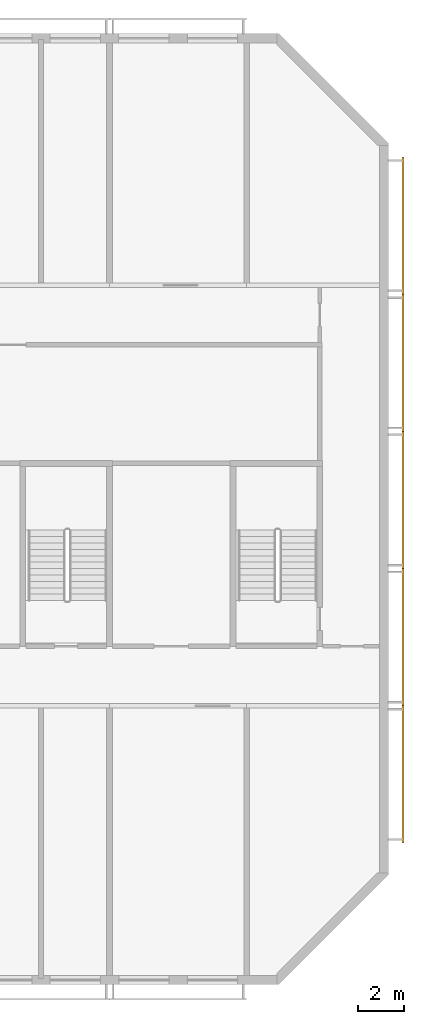
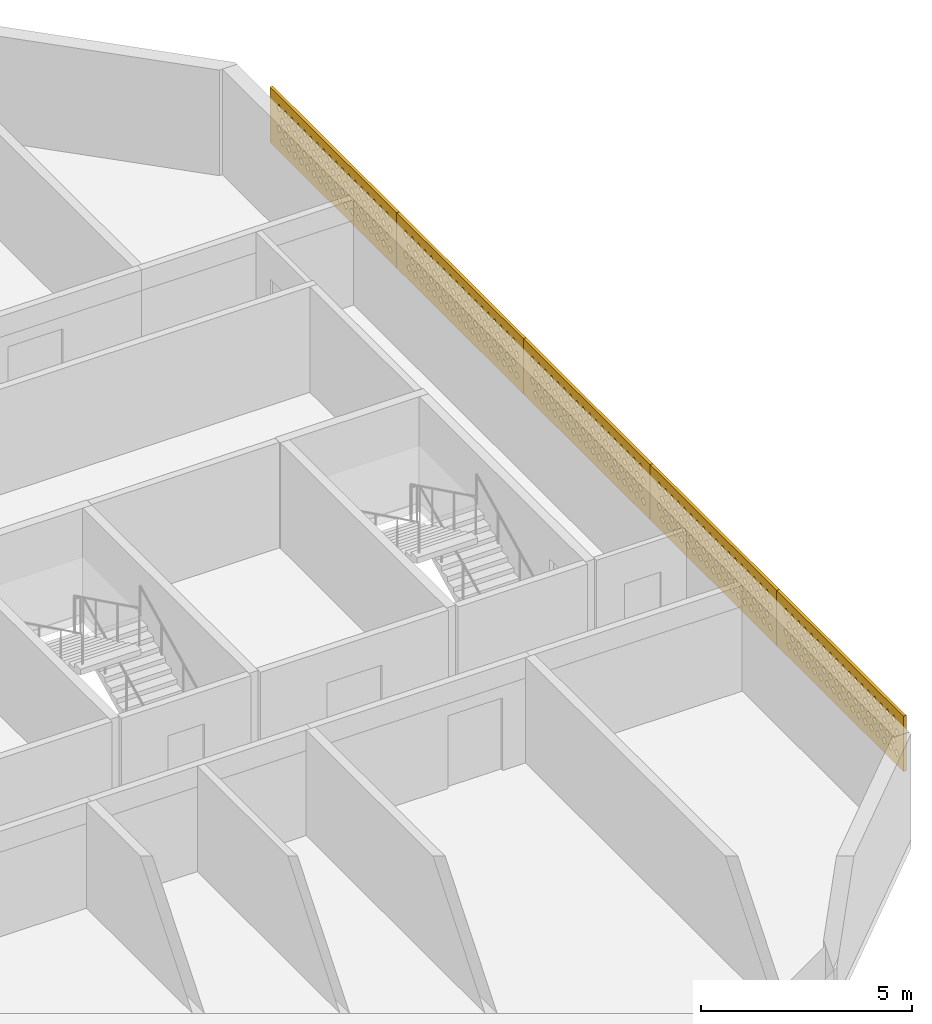
# One storey, part 18 of 18: 5 coverings.
"""IFC4 building model written with IfcOpenShell, lengths in metres."""

from ifc_helpers import new_model, si_unit, direction, frame, origin, place, context, subcontext, project, spatial, polyline, outline, extrude, source, transform, mapped, material, material_profile, profile_set, type_object, element, save


model = new_model("IFC4")

# Units and contexts
model_context = context("Model", 3, precision=1e-05, world=origin(), true_north=direction((0.0, 1.0)))
body_context = subcontext(model_context, "Body", "Model", "MODEL_VIEW")
ifc_project = project(units=[si_unit("LENGTHUNIT", "METRE"), si_unit("AREAUNIT", "SQUARE_METRE"), si_unit("VOLUMEUNIT", "CUBIC_METRE"), si_unit("PLANEANGLEUNIT", "RADIAN"), si_unit("MASSUNIT", "GRAM", prefix="KILO")], contexts=[model_context])

# Site, building, storey
site_placement = place(None, origin())
site = spatial("IfcSite", under=ifc_project, at=site_placement, CompositionType="ELEMENT")
building_placement = place(site_placement, origin())
building = spatial("IfcBuilding", under=site, at=building_placement, Name="Poui Terraces", CompositionType="ELEMENT")
storey_placement = place(building_placement, frame((0.0, 0.0, 279.0)))
storey = spatial("IfcBuildingStorey", under=building, at=storey_placement, Name="L77 CROWN", CompositionType="ELEMENT", Elevation=279.0)

# Coverings
ifc_material = material(Name="Terracotta screen", Category="masonry")
ifc_material_profile = material_profile(ifc_material, outline(polyline([(-3.0, -0.800048828125), (3.0, -0.800048828125), (3.0, 0.800048828125), (-3.0, 0.800048828125), (-3.0, -0.800048828125)]), holes=[polyline([(-2.800048828125, -0.449951171875), (-2.68994140625, -0.56005859375), (-2.580078125, -0.449951171875), (-2.68994140625, -0.340087890625), (-2.800048828125, -0.449951171875)]), polyline([(-2.5, -0.449951171875), (-2.389892578125, -0.56005859375), (-2.280029296875, -0.449951171875), (-2.389892578125, -0.340087890625), (-2.5, -0.449951171875)]), polyline([(-2.199951171875, -0.449951171875), (-2.090087890625, -0.56005859375), (-1.97998046875, -0.449951171875), (-2.090087890625, -0.340087890625), (-2.199951171875, -0.449951171875)]), polyline([(-1.89990234375, -0.449951171875), (-1.7900390625, -0.56005859375), (-1.679931640625, -0.449951171875), (-1.7900390625, -0.340087890625), (-1.89990234375, -0.449951171875)]), polyline([(-1.60009765625, -0.449951171875), (-1.489990234375, -0.56005859375), (-1.3798828125, -0.449951171875), (-1.489990234375, -0.340087890625), (-1.60009765625, -0.449951171875)]), polyline([(-1.300048828125, -0.449951171875), (-1.18994140625, -0.56005859375), (-1.080078125, -0.449951171875), (-1.18994140625, -0.340087890625), (-1.300048828125, -0.449951171875)]), polyline([(-1.0, -0.449951171875), (-0.889892578125, -0.56005859375), (-0.780029296875, -0.449951171875), (-0.889892578125, -0.340087890625), (-1.0, -0.449951171875)]), polyline([(-0.699951171875, -0.449951171875), (-0.590087890625, -0.56005859375), (-0.47998046875, -0.449951171875), (-0.590087890625, -0.340087890625), (-0.699951171875, -0.449951171875)]), polyline([(-0.39990234375, -0.449951171875), (-0.2900390625, -0.56005859375), (-0.179931640625, -0.449951171875), (-0.2900390625, -0.340087890625), (-0.39990234375, -0.449951171875)]), polyline([(-0.10009765625, -0.449951171875), (0.010009765625, -0.56005859375), (0.1201171875, -0.449951171875), (0.010009765625, -0.340087890625), (-0.10009765625, -0.449951171875)]), polyline([(0.199951171875, -0.449951171875), (0.31005859375, -0.56005859375), (0.419921875, -0.449951171875), (0.31005859375, -0.340087890625), (0.199951171875, -0.449951171875)]), polyline([(0.5, -0.449951171875), (0.610107421875, -0.56005859375), (0.719970703125, -0.449951171875), (0.610107421875, -0.340087890625), (0.5, -0.449951171875)]), polyline([(0.800048828125, -0.449951171875), (0.909912109375, -0.56005859375), (1.02001953125, -0.449951171875), (0.909912109375, -0.340087890625), (0.800048828125, -0.449951171875)]), polyline([(1.10009765625, -0.449951171875), (1.2099609375, -0.56005859375), (1.320068359375, -0.449951171875), (1.2099609375, -0.340087890625), (1.10009765625, -0.449951171875)]), polyline([(1.39990234375, -0.449951171875), (1.510009765625, -0.56005859375), (1.6201171875, -0.449951171875), (1.510009765625, -0.340087890625), (1.39990234375, -0.449951171875)]), polyline([(1.699951171875, -0.449951171875), (1.81005859375, -0.56005859375), (1.919921875, -0.449951171875), (1.81005859375, -0.340087890625), (1.699951171875, -0.449951171875)]), polyline([(2.0, -0.449951171875), (2.110107421875, -0.56005859375), (2.219970703125, -0.449951171875), (2.110107421875, -0.340087890625), (2.0, -0.449951171875)]), polyline([(2.300048828125, -0.449951171875), (2.409912109375, -0.56005859375), (2.52001953125, -0.449951171875), (2.409912109375, -0.340087890625), (2.300048828125, -0.449951171875)]), polyline([(-2.64990234375, -0.14990234375), (-2.5400390625, -0.260009765625), (-2.429931640625, -0.14990234375), (-2.5400390625, -0.0400390625), (-2.64990234375, -0.14990234375)]), polyline([(-2.35009765625, -0.14990234375), (-2.239990234375, -0.260009765625), (-2.1298828125, -0.14990234375), (-2.239990234375, -0.0400390625), (-2.35009765625, -0.14990234375)]), polyline([(-2.050048828125, -0.14990234375), (-1.93994140625, -0.260009765625), (-1.830078125, -0.14990234375), (-1.93994140625, -0.0400390625), (-2.050048828125, -0.14990234375)]), polyline([(-1.75, -0.14990234375), (-1.639892578125, -0.260009765625), (-1.530029296875, -0.14990234375), (-1.639892578125, -0.0400390625), (-1.75, -0.14990234375)]), polyline([(-1.449951171875, -0.14990234375), (-1.340087890625, -0.260009765625), (-1.22998046875, -0.14990234375), (-1.340087890625, -0.0400390625), (-1.449951171875, -0.14990234375)]), polyline([(-1.14990234375, -0.14990234375), (-1.0400390625, -0.260009765625), (-0.929931640625, -0.14990234375), (-1.0400390625, -0.0400390625), (-1.14990234375, -0.14990234375)]), polyline([(-0.85009765625, -0.14990234375), (-0.739990234375, -0.260009765625), (-0.6298828125, -0.14990234375), (-0.739990234375, -0.0400390625), (-0.85009765625, -0.14990234375)]), polyline([(-0.550048828125, -0.14990234375), (-0.43994140625, -0.260009765625), (-0.330078125, -0.14990234375), (-0.43994140625, -0.0400390625), (-0.550048828125, -0.14990234375)]), polyline([(-0.25, -0.14990234375), (-0.139892578125, -0.260009765625), (-0.030029296875, -0.14990234375), (-0.139892578125, -0.0400390625), (-0.25, -0.14990234375)]), polyline([(0.050048828125, -0.14990234375), (0.159912109375, -0.260009765625), (0.27001953125, -0.14990234375), (0.159912109375, -0.0400390625), (0.050048828125, -0.14990234375)]), polyline([(0.35009765625, -0.14990234375), (0.4599609375, -0.260009765625), (0.570068359375, -0.14990234375), (0.4599609375, -0.0400390625), (0.35009765625, -0.14990234375)]), polyline([(0.64990234375, -0.14990234375), (0.760009765625, -0.260009765625), (0.8701171875, -0.14990234375), (0.760009765625, -0.0400390625), (0.64990234375, -0.14990234375)]), polyline([(0.949951171875, -0.14990234375), (1.06005859375, -0.260009765625), (1.169921875, -0.14990234375), (1.06005859375, -0.0400390625), (0.949951171875, -0.14990234375)]), polyline([(1.25, -0.14990234375), (1.360107421875, -0.260009765625), (1.469970703125, -0.14990234375), (1.360107421875, -0.0400390625), (1.25, -0.14990234375)]), polyline([(1.550048828125, -0.14990234375), (1.659912109375, -0.260009765625), (1.77001953125, -0.14990234375), (1.659912109375, -0.0400390625), (1.550048828125, -0.14990234375)]), polyline([(1.85009765625, -0.14990234375), (1.9599609375, -0.260009765625), (2.070068359375, -0.14990234375), (1.9599609375, -0.0400390625), (1.85009765625, -0.14990234375)]), polyline([(2.14990234375, -0.14990234375), (2.260009765625, -0.260009765625), (2.3701171875, -0.14990234375), (2.260009765625, -0.0400390625), (2.14990234375, -0.14990234375)]), polyline([(2.449951171875, -0.14990234375), (2.56005859375, -0.260009765625), (2.669921875, -0.14990234375), (2.56005859375, -0.0400390625), (2.449951171875, -0.14990234375)]), polyline([(-2.800048828125, 0.14990234375), (-2.68994140625, 0.0400390625), (-2.580078125, 0.14990234375), (-2.68994140625, 0.260009765625), (-2.800048828125, 0.14990234375)]), polyline([(-2.5, 0.14990234375), (-2.389892578125, 0.0400390625), (-2.280029296875, 0.14990234375), (-2.389892578125, 0.260009765625), (-2.5, 0.14990234375)]), polyline([(-2.199951171875, 0.14990234375), (-2.090087890625, 0.0400390625), (-1.97998046875, 0.14990234375), (-2.090087890625, 0.260009765625), (-2.199951171875, 0.14990234375)]), polyline([(-1.89990234375, 0.14990234375), (-1.7900390625, 0.0400390625), (-1.679931640625, 0.14990234375), (-1.7900390625, 0.260009765625), (-1.89990234375, 0.14990234375)]), polyline([(-1.60009765625, 0.14990234375), (-1.489990234375, 0.0400390625), (-1.3798828125, 0.14990234375), (-1.489990234375, 0.260009765625), (-1.60009765625, 0.14990234375)]), polyline([(-1.300048828125, 0.14990234375), (-1.18994140625, 0.0400390625), (-1.080078125, 0.14990234375), (-1.18994140625, 0.260009765625), (-1.300048828125, 0.14990234375)]), polyline([(-1.0, 0.14990234375), (-0.889892578125, 0.0400390625), (-0.780029296875, 0.14990234375), (-0.889892578125, 0.260009765625), (-1.0, 0.14990234375)]), polyline([(-0.699951171875, 0.14990234375), (-0.590087890625, 0.0400390625), (-0.47998046875, 0.14990234375), (-0.590087890625, 0.260009765625), (-0.699951171875, 0.14990234375)]), polyline([(-0.39990234375, 0.14990234375), (-0.2900390625, 0.0400390625), (-0.179931640625, 0.14990234375), (-0.2900390625, 0.260009765625), (-0.39990234375, 0.14990234375)]), polyline([(-0.10009765625, 0.14990234375), (0.010009765625, 0.0400390625), (0.1201171875, 0.14990234375), (0.010009765625, 0.260009765625), (-0.10009765625, 0.14990234375)]), polyline([(0.199951171875, 0.14990234375), (0.31005859375, 0.0400390625), (0.419921875, 0.14990234375), (0.31005859375, 0.260009765625), (0.199951171875, 0.14990234375)]), polyline([(0.5, 0.14990234375), (0.610107421875, 0.0400390625), (0.719970703125, 0.14990234375), (0.610107421875, 0.260009765625), (0.5, 0.14990234375)]), polyline([(0.800048828125, 0.14990234375), (0.909912109375, 0.0400390625), (1.02001953125, 0.14990234375), (0.909912109375, 0.260009765625), (0.800048828125, 0.14990234375)]), polyline([(1.10009765625, 0.14990234375), (1.2099609375, 0.0400390625), (1.320068359375, 0.14990234375), (1.2099609375, 0.260009765625), (1.10009765625, 0.14990234375)]), polyline([(1.39990234375, 0.14990234375), (1.510009765625, 0.0400390625), (1.6201171875, 0.14990234375), (1.510009765625, 0.260009765625), (1.39990234375, 0.14990234375)]), polyline([(1.699951171875, 0.14990234375), (1.81005859375, 0.0400390625), (1.919921875, 0.14990234375), (1.81005859375, 0.260009765625), (1.699951171875, 0.14990234375)]), polyline([(2.0, 0.14990234375), (2.110107421875, 0.0400390625), (2.219970703125, 0.14990234375), (2.110107421875, 0.260009765625), (2.0, 0.14990234375)]), polyline([(2.300048828125, 0.14990234375), (2.409912109375, 0.0400390625), (2.52001953125, 0.14990234375), (2.409912109375, 0.260009765625), (2.300048828125, 0.14990234375)]), polyline([(-2.64990234375, 0.449951171875), (-2.5400390625, 0.340087890625), (-2.429931640625, 0.449951171875), (-2.5400390625, 0.56005859375), (-2.64990234375, 0.449951171875)]), polyline([(-2.35009765625, 0.449951171875), (-2.239990234375, 0.340087890625), (-2.1298828125, 0.449951171875), (-2.239990234375, 0.56005859375), (-2.35009765625, 0.449951171875)]), polyline([(-2.050048828125, 0.449951171875), (-1.93994140625, 0.340087890625), (-1.830078125, 0.449951171875), (-1.93994140625, 0.56005859375), (-2.050048828125, 0.449951171875)]), polyline([(-1.75, 0.449951171875), (-1.639892578125, 0.340087890625), (-1.530029296875, 0.449951171875), (-1.639892578125, 0.56005859375), (-1.75, 0.449951171875)]), polyline([(-1.449951171875, 0.449951171875), (-1.340087890625, 0.340087890625), (-1.22998046875, 0.449951171875), (-1.340087890625, 0.56005859375), (-1.449951171875, 0.449951171875)]), polyline([(-1.14990234375, 0.449951171875), (-1.0400390625, 0.340087890625), (-0.929931640625, 0.449951171875), (-1.0400390625, 0.56005859375), (-1.14990234375, 0.449951171875)]), polyline([(-0.85009765625, 0.449951171875), (-0.739990234375, 0.340087890625), (-0.6298828125, 0.449951171875), (-0.739990234375, 0.56005859375), (-0.85009765625, 0.449951171875)]), polyline([(-0.550048828125, 0.449951171875), (-0.43994140625, 0.340087890625), (-0.330078125, 0.449951171875), (-0.43994140625, 0.56005859375), (-0.550048828125, 0.449951171875)]), polyline([(-0.25, 0.449951171875), (-0.139892578125, 0.340087890625), (-0.030029296875, 0.449951171875), (-0.139892578125, 0.56005859375), (-0.25, 0.449951171875)]), polyline([(0.050048828125, 0.449951171875), (0.159912109375, 0.340087890625), (0.27001953125, 0.449951171875), (0.159912109375, 0.56005859375), (0.050048828125, 0.449951171875)]), polyline([(0.35009765625, 0.449951171875), (0.4599609375, 0.340087890625), (0.570068359375, 0.449951171875), (0.4599609375, 0.56005859375), (0.35009765625, 0.449951171875)]), polyline([(0.64990234375, 0.449951171875), (0.760009765625, 0.340087890625), (0.8701171875, 0.449951171875), (0.760009765625, 0.56005859375), (0.64990234375, 0.449951171875)]), polyline([(0.949951171875, 0.449951171875), (1.06005859375, 0.340087890625), (1.169921875, 0.449951171875), (1.06005859375, 0.56005859375), (0.949951171875, 0.449951171875)]), polyline([(1.25, 0.449951171875), (1.360107421875, 0.340087890625), (1.469970703125, 0.449951171875), (1.360107421875, 0.56005859375), (1.25, 0.449951171875)]), polyline([(1.550048828125, 0.449951171875), (1.659912109375, 0.340087890625), (1.77001953125, 0.449951171875), (1.659912109375, 0.56005859375), (1.550048828125, 0.449951171875)]), polyline([(1.85009765625, 0.449951171875), (1.9599609375, 0.340087890625), (2.070068359375, 0.449951171875), (1.9599609375, 0.56005859375), (1.85009765625, 0.449951171875)]), polyline([(2.14990234375, 0.449951171875), (2.260009765625, 0.340087890625), (2.3701171875, 0.449951171875), (2.260009765625, 0.56005859375), (2.14990234375, 0.449951171875)]), polyline([(2.449951171875, 0.449951171875), (2.56005859375, 0.340087890625), (2.669921875, 0.449951171875), (2.56005859375, 0.56005859375), (2.449951171875, 0.449951171875)])]), Name="TERRACOTTA SOLAR SCREEN 6000X1600")
ifc_profile_set = profile_set([ifc_material_profile], Name="Terracotta screen")
covering_type = type_object("IfcCoveringType", Name="TERRACOTTA SOLAR SCREEN 6000X1600", PredefinedType="CLADDING", material=ifc_profile_set)
shared_shape = source(origin(), body_context, "Body", "SweptSolid", [
    extrude(outline(polyline([(-3.0, -0.800048828125), (3.0, -0.800048828125), (3.0, 0.800048828125), (-3.0, 0.800048828125), (-3.0, -0.800048828125)]), holes=[polyline([(-2.800048828125, -0.449951171875), (-2.68994140625, -0.56005859375), (-2.580078125, -0.449951171875), (-2.68994140625, -0.340087890625), (-2.800048828125, -0.449951171875)]), polyline([(-2.5, -0.449951171875), (-2.389892578125, -0.56005859375), (-2.280029296875, -0.449951171875), (-2.389892578125, -0.340087890625), (-2.5, -0.449951171875)]), polyline([(-2.199951171875, -0.449951171875), (-2.090087890625, -0.56005859375), (-1.97998046875, -0.449951171875), (-2.090087890625, -0.340087890625), (-2.199951171875, -0.449951171875)]), polyline([(-1.89990234375, -0.449951171875), (-1.7900390625, -0.56005859375), (-1.679931640625, -0.449951171875), (-1.7900390625, -0.340087890625), (-1.89990234375, -0.449951171875)]), polyline([(-1.60009765625, -0.449951171875), (-1.489990234375, -0.56005859375), (-1.3798828125, -0.449951171875), (-1.489990234375, -0.340087890625), (-1.60009765625, -0.449951171875)]), polyline([(-1.300048828125, -0.449951171875), (-1.18994140625, -0.56005859375), (-1.080078125, -0.449951171875), (-1.18994140625, -0.340087890625), (-1.300048828125, -0.449951171875)]), polyline([(-1.0, -0.449951171875), (-0.889892578125, -0.56005859375), (-0.780029296875, -0.449951171875), (-0.889892578125, -0.340087890625), (-1.0, -0.449951171875)]), polyline([(-0.699951171875, -0.449951171875), (-0.590087890625, -0.56005859375), (-0.47998046875, -0.449951171875), (-0.590087890625, -0.340087890625), (-0.699951171875, -0.449951171875)]), polyline([(-0.39990234375, -0.449951171875), (-0.2900390625, -0.56005859375), (-0.179931640625, -0.449951171875), (-0.2900390625, -0.340087890625), (-0.39990234375, -0.449951171875)]), polyline([(-0.10009765625, -0.449951171875), (0.010009765625, -0.56005859375), (0.1201171875, -0.449951171875), (0.010009765625, -0.340087890625), (-0.10009765625, -0.449951171875)]), polyline([(0.199951171875, -0.449951171875), (0.31005859375, -0.56005859375), (0.419921875, -0.449951171875), (0.31005859375, -0.340087890625), (0.199951171875, -0.449951171875)]), polyline([(0.5, -0.449951171875), (0.610107421875, -0.56005859375), (0.719970703125, -0.449951171875), (0.610107421875, -0.340087890625), (0.5, -0.449951171875)]), polyline([(0.800048828125, -0.449951171875), (0.909912109375, -0.56005859375), (1.02001953125, -0.449951171875), (0.909912109375, -0.340087890625), (0.800048828125, -0.449951171875)]), polyline([(1.10009765625, -0.449951171875), (1.2099609375, -0.56005859375), (1.320068359375, -0.449951171875), (1.2099609375, -0.340087890625), (1.10009765625, -0.449951171875)]), polyline([(1.39990234375, -0.449951171875), (1.510009765625, -0.56005859375), (1.6201171875, -0.449951171875), (1.510009765625, -0.340087890625), (1.39990234375, -0.449951171875)]), polyline([(1.699951171875, -0.449951171875), (1.81005859375, -0.56005859375), (1.919921875, -0.449951171875), (1.81005859375, -0.340087890625), (1.699951171875, -0.449951171875)]), polyline([(2.0, -0.449951171875), (2.110107421875, -0.56005859375), (2.219970703125, -0.449951171875), (2.110107421875, -0.340087890625), (2.0, -0.449951171875)]), polyline([(2.300048828125, -0.449951171875), (2.409912109375, -0.56005859375), (2.52001953125, -0.449951171875), (2.409912109375, -0.340087890625), (2.300048828125, -0.449951171875)]), polyline([(-2.64990234375, -0.14990234375), (-2.5400390625, -0.260009765625), (-2.429931640625, -0.14990234375), (-2.5400390625, -0.0400390625), (-2.64990234375, -0.14990234375)]), polyline([(-2.35009765625, -0.14990234375), (-2.239990234375, -0.260009765625), (-2.1298828125, -0.14990234375), (-2.239990234375, -0.0400390625), (-2.35009765625, -0.14990234375)]), polyline([(-2.050048828125, -0.14990234375), (-1.93994140625, -0.260009765625), (-1.830078125, -0.14990234375), (-1.93994140625, -0.0400390625), (-2.050048828125, -0.14990234375)]), polyline([(-1.75, -0.14990234375), (-1.639892578125, -0.260009765625), (-1.530029296875, -0.14990234375), (-1.639892578125, -0.0400390625), (-1.75, -0.14990234375)]), polyline([(-1.449951171875, -0.14990234375), (-1.340087890625, -0.260009765625), (-1.22998046875, -0.14990234375), (-1.340087890625, -0.0400390625), (-1.449951171875, -0.14990234375)]), polyline([(-1.14990234375, -0.14990234375), (-1.0400390625, -0.260009765625), (-0.929931640625, -0.14990234375), (-1.0400390625, -0.0400390625), (-1.14990234375, -0.14990234375)]), polyline([(-0.85009765625, -0.14990234375), (-0.739990234375, -0.260009765625), (-0.6298828125, -0.14990234375), (-0.739990234375, -0.0400390625), (-0.85009765625, -0.14990234375)]), polyline([(-0.550048828125, -0.14990234375), (-0.43994140625, -0.260009765625), (-0.330078125, -0.14990234375), (-0.43994140625, -0.0400390625), (-0.550048828125, -0.14990234375)]), polyline([(-0.25, -0.14990234375), (-0.139892578125, -0.260009765625), (-0.030029296875, -0.14990234375), (-0.139892578125, -0.0400390625), (-0.25, -0.14990234375)]), polyline([(0.050048828125, -0.14990234375), (0.159912109375, -0.260009765625), (0.27001953125, -0.14990234375), (0.159912109375, -0.0400390625), (0.050048828125, -0.14990234375)]), polyline([(0.35009765625, -0.14990234375), (0.4599609375, -0.260009765625), (0.570068359375, -0.14990234375), (0.4599609375, -0.0400390625), (0.35009765625, -0.14990234375)]), polyline([(0.64990234375, -0.14990234375), (0.760009765625, -0.260009765625), (0.8701171875, -0.14990234375), (0.760009765625, -0.0400390625), (0.64990234375, -0.14990234375)]), polyline([(0.949951171875, -0.14990234375), (1.06005859375, -0.260009765625), (1.169921875, -0.14990234375), (1.06005859375, -0.0400390625), (0.949951171875, -0.14990234375)]), polyline([(1.25, -0.14990234375), (1.360107421875, -0.260009765625), (1.469970703125, -0.14990234375), (1.360107421875, -0.0400390625), (1.25, -0.14990234375)]), polyline([(1.550048828125, -0.14990234375), (1.659912109375, -0.260009765625), (1.77001953125, -0.14990234375), (1.659912109375, -0.0400390625), (1.550048828125, -0.14990234375)]), polyline([(1.85009765625, -0.14990234375), (1.9599609375, -0.260009765625), (2.070068359375, -0.14990234375), (1.9599609375, -0.0400390625), (1.85009765625, -0.14990234375)]), polyline([(2.14990234375, -0.14990234375), (2.260009765625, -0.260009765625), (2.3701171875, -0.14990234375), (2.260009765625, -0.0400390625), (2.14990234375, -0.14990234375)]), polyline([(2.449951171875, -0.14990234375), (2.56005859375, -0.260009765625), (2.669921875, -0.14990234375), (2.56005859375, -0.0400390625), (2.449951171875, -0.14990234375)]), polyline([(-2.800048828125, 0.14990234375), (-2.68994140625, 0.0400390625), (-2.580078125, 0.14990234375), (-2.68994140625, 0.260009765625), (-2.800048828125, 0.14990234375)]), polyline([(-2.5, 0.14990234375), (-2.389892578125, 0.0400390625), (-2.280029296875, 0.14990234375), (-2.389892578125, 0.260009765625), (-2.5, 0.14990234375)]), polyline([(-2.199951171875, 0.14990234375), (-2.090087890625, 0.0400390625), (-1.97998046875, 0.14990234375), (-2.090087890625, 0.260009765625), (-2.199951171875, 0.14990234375)]), polyline([(-1.89990234375, 0.14990234375), (-1.7900390625, 0.0400390625), (-1.679931640625, 0.14990234375), (-1.7900390625, 0.260009765625), (-1.89990234375, 0.14990234375)]), polyline([(-1.60009765625, 0.14990234375), (-1.489990234375, 0.0400390625), (-1.3798828125, 0.14990234375), (-1.489990234375, 0.260009765625), (-1.60009765625, 0.14990234375)]), polyline([(-1.300048828125, 0.14990234375), (-1.18994140625, 0.0400390625), (-1.080078125, 0.14990234375), (-1.18994140625, 0.260009765625), (-1.300048828125, 0.14990234375)]), polyline([(-1.0, 0.14990234375), (-0.889892578125, 0.0400390625), (-0.780029296875, 0.14990234375), (-0.889892578125, 0.260009765625), (-1.0, 0.14990234375)]), polyline([(-0.699951171875, 0.14990234375), (-0.590087890625, 0.0400390625), (-0.47998046875, 0.14990234375), (-0.590087890625, 0.260009765625), (-0.699951171875, 0.14990234375)]), polyline([(-0.39990234375, 0.14990234375), (-0.2900390625, 0.0400390625), (-0.179931640625, 0.14990234375), (-0.2900390625, 0.260009765625), (-0.39990234375, 0.14990234375)]), polyline([(-0.10009765625, 0.14990234375), (0.010009765625, 0.0400390625), (0.1201171875, 0.14990234375), (0.010009765625, 0.260009765625), (-0.10009765625, 0.14990234375)]), polyline([(0.199951171875, 0.14990234375), (0.31005859375, 0.0400390625), (0.419921875, 0.14990234375), (0.31005859375, 0.260009765625), (0.199951171875, 0.14990234375)]), polyline([(0.5, 0.14990234375), (0.610107421875, 0.0400390625), (0.719970703125, 0.14990234375), (0.610107421875, 0.260009765625), (0.5, 0.14990234375)]), polyline([(0.800048828125, 0.14990234375), (0.909912109375, 0.0400390625), (1.02001953125, 0.14990234375), (0.909912109375, 0.260009765625), (0.800048828125, 0.14990234375)]), polyline([(1.10009765625, 0.14990234375), (1.2099609375, 0.0400390625), (1.320068359375, 0.14990234375), (1.2099609375, 0.260009765625), (1.10009765625, 0.14990234375)]), polyline([(1.39990234375, 0.14990234375), (1.510009765625, 0.0400390625), (1.6201171875, 0.14990234375), (1.510009765625, 0.260009765625), (1.39990234375, 0.14990234375)]), polyline([(1.699951171875, 0.14990234375), (1.81005859375, 0.0400390625), (1.919921875, 0.14990234375), (1.81005859375, 0.260009765625), (1.699951171875, 0.14990234375)]), polyline([(2.0, 0.14990234375), (2.110107421875, 0.0400390625), (2.219970703125, 0.14990234375), (2.110107421875, 0.260009765625), (2.0, 0.14990234375)]), polyline([(2.300048828125, 0.14990234375), (2.409912109375, 0.0400390625), (2.52001953125, 0.14990234375), (2.409912109375, 0.260009765625), (2.300048828125, 0.14990234375)]), polyline([(-2.64990234375, 0.449951171875), (-2.5400390625, 0.340087890625), (-2.429931640625, 0.449951171875), (-2.5400390625, 0.56005859375), (-2.64990234375, 0.449951171875)]), polyline([(-2.35009765625, 0.449951171875), (-2.239990234375, 0.340087890625), (-2.1298828125, 0.449951171875), (-2.239990234375, 0.56005859375), (-2.35009765625, 0.449951171875)]), polyline([(-2.050048828125, 0.449951171875), (-1.93994140625, 0.340087890625), (-1.830078125, 0.449951171875), (-1.93994140625, 0.56005859375), (-2.050048828125, 0.449951171875)]), polyline([(-1.75, 0.449951171875), (-1.639892578125, 0.340087890625), (-1.530029296875, 0.449951171875), (-1.639892578125, 0.56005859375), (-1.75, 0.449951171875)]), polyline([(-1.449951171875, 0.449951171875), (-1.340087890625, 0.340087890625), (-1.22998046875, 0.449951171875), (-1.340087890625, 0.56005859375), (-1.449951171875, 0.449951171875)]), polyline([(-1.14990234375, 0.449951171875), (-1.0400390625, 0.340087890625), (-0.929931640625, 0.449951171875), (-1.0400390625, 0.56005859375), (-1.14990234375, 0.449951171875)]), polyline([(-0.85009765625, 0.449951171875), (-0.739990234375, 0.340087890625), (-0.6298828125, 0.449951171875), (-0.739990234375, 0.56005859375), (-0.85009765625, 0.449951171875)]), polyline([(-0.550048828125, 0.449951171875), (-0.43994140625, 0.340087890625), (-0.330078125, 0.449951171875), (-0.43994140625, 0.56005859375), (-0.550048828125, 0.449951171875)]), polyline([(-0.25, 0.449951171875), (-0.139892578125, 0.340087890625), (-0.030029296875, 0.449951171875), (-0.139892578125, 0.56005859375), (-0.25, 0.449951171875)]), polyline([(0.050048828125, 0.449951171875), (0.159912109375, 0.340087890625), (0.27001953125, 0.449951171875), (0.159912109375, 0.56005859375), (0.050048828125, 0.449951171875)]), polyline([(0.35009765625, 0.449951171875), (0.4599609375, 0.340087890625), (0.570068359375, 0.449951171875), (0.4599609375, 0.56005859375), (0.35009765625, 0.449951171875)]), polyline([(0.64990234375, 0.449951171875), (0.760009765625, 0.340087890625), (0.8701171875, 0.449951171875), (0.760009765625, 0.56005859375), (0.64990234375, 0.449951171875)]), polyline([(0.949951171875, 0.449951171875), (1.06005859375, 0.340087890625), (1.169921875, 0.449951171875), (1.06005859375, 0.56005859375), (0.949951171875, 0.449951171875)]), polyline([(1.25, 0.449951171875), (1.360107421875, 0.340087890625), (1.469970703125, 0.449951171875), (1.360107421875, 0.56005859375), (1.25, 0.449951171875)]), polyline([(1.550048828125, 0.449951171875), (1.659912109375, 0.340087890625), (1.77001953125, 0.449951171875), (1.659912109375, 0.56005859375), (1.550048828125, 0.449951171875)]), polyline([(1.85009765625, 0.449951171875), (1.9599609375, 0.340087890625), (2.070068359375, 0.449951171875), (1.9599609375, 0.56005859375), (1.85009765625, 0.449951171875)]), polyline([(2.14990234375, 0.449951171875), (2.260009765625, 0.340087890625), (2.3701171875, 0.449951171875), (2.260009765625, 0.56005859375), (2.14990234375, 0.449951171875)]), polyline([(2.449951171875, 0.449951171875), (2.56005859375, 0.340087890625), (2.669921875, 0.449951171875), (2.56005859375, 0.56005859375), (2.449951171875, 0.449951171875)])]), origin(), (0.0, 0.0, 1.0), 0.079833984375),
])
for number, where, z_axis, x_axis, name in (
    (1, (84.800048828125, 9.0, 1.699951171875), (1.0, 0.0, 0.0), (0.0, 1.0, 0.0), "SOLAR SCREEN"),
    (2, (84.800048828125, 15.0, 1.699951171875), (1.0, 0.0, 0.0), (0.0, 1.0, 0.0), "SOLAR SCREEN"),
    (3, (84.800048828125, 21.0, 1.699951171875), (1.0, 0.0, 0.0), (0.0, 1.0, 0.0), "SOLAR SCREEN"),
    (4, (84.800048828125, 27.0, 1.699951171875), (1.0, 0.0, 0.0), (0.0, 1.0, 0.0), "SOLAR SCREEN"),
    (5, (84.800048828125, 33.0, 1.699951171875), (1.0, 0.0, 0.0), (0.0, 1.0, 0.0), "SOLAR SCREEN"),
):
    element("IfcCovering", number, at=place(storey_placement, frame(where, z_axis=z_axis, x_axis=x_axis)), inside=storey, type_object=covering_type, Name=name, PredefinedType="CLADDING", context=body_context, shape_type="MappedRepresentation", body=[
        mapped(shared_shape, transform((0.0, 0.0, 0.0))),
    ])

save(model, "model.ifc")
